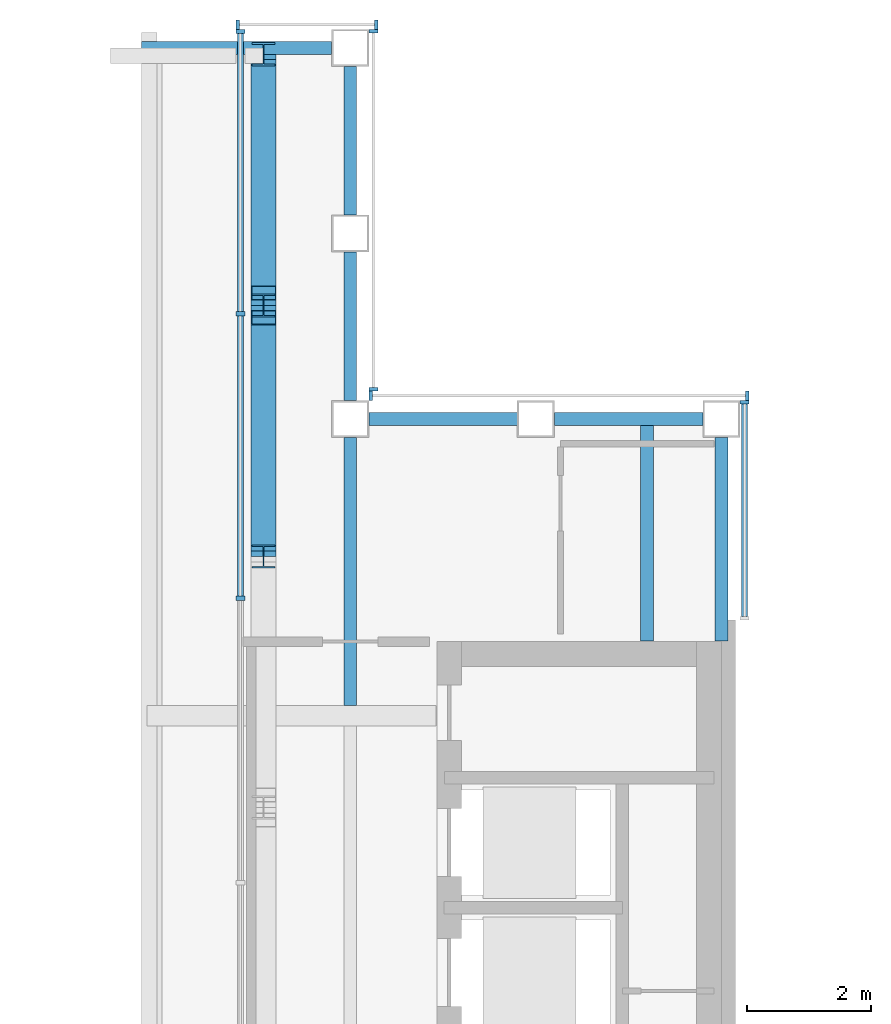
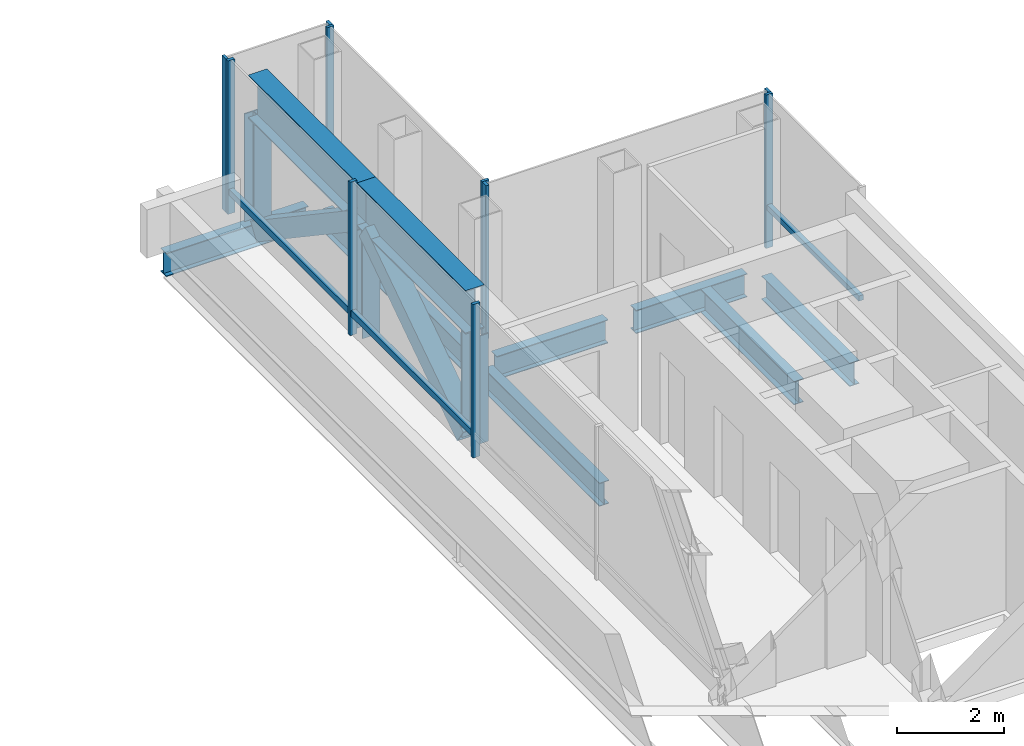
# One storey, part 10 of 16: 20 members, 8 beams, 5 elements without a shape of their own.
"""IFC4 building model written with IfcOpenShell, lengths in metres."""

import ifcopenshell
import ifcopenshell.guid

model = None  # the IFC model being written
_history = None  # IfcOwnerHistory: only IFC2X3 demands one
_inside = {}  # id of a spatial element -> (the spatial element, [elements in it])
_under = {}  # id of a project, library or spatial element -> (it, [spatial elements below it])
_declared = {}  # id of a project -> (the project, [libraries it declares])
_typed = {}  # id of a type object -> (the type object, [elements of that type])
_made_of = {}  # id of a material, layer set ... -> (it, [elements and type objects made of it])


def new_model(schema):
    """Start an empty IFC model of exactly this schema.

    Asked for "IFC4X3", IfcOpenShell would pick the latest addendum, in which some entities
    have other attributes; the version numbers below select the first issue.
    IFC2X3 requires an IfcOwnerHistory on every rooted entity: one is made here for all.
    """
    global model, _history
    if schema == "IFC4X3":
        model = ifcopenshell.file(schema_version=(4, 3, 0, 0))
    else:
        model = ifcopenshell.file(schema=schema)
    _inside.clear()
    _under.clear()
    _declared.clear()
    _typed.clear()
    _made_of.clear()
    _history = None
    if model.schema == "IFC2X3":
        org = make("IfcOrganization", Name="unknown")
        user = make(
            "IfcPersonAndOrganization",
            ThePerson=make("IfcPerson", FamilyName="unknown"),
            TheOrganization=org,
        )
        app = make(
            "IfcApplication",
            ApplicationDeveloper=org,
            Version="unknown",
            ApplicationFullName="unknown",
            ApplicationIdentifier="unknown",
        )
        _history = make(
            "IfcOwnerHistory",
            OwningUser=user,
            OwningApplication=app,
            ChangeAction="ADDED",
            CreationDate=0,
        )
    return model


def make(cls, **values):
    """One entity of the class cls with the attributes given. An attribute that is None is left unset."""
    return model.create_entity(
        cls, **{name: value for name, value in values.items() if value is not None}
    )


def rooted(cls, **values):
    """An entity with a GlobalId (a new one), such as an element, a storey or a relation."""
    return make(cls, GlobalId=ifcopenshell.guid.new(), OwnerHistory=_history, **values)


def si_unit(unit_type, name, prefix=None):
    """IfcSIUnit, for example si_unit("LENGTHUNIT", "METRE", prefix="MILLI")."""
    return make("IfcSIUnit", UnitType=unit_type, Prefix=prefix, Name=name)


def assignment(units):
    """IfcUnitAssignment: the units of a project."""
    return None if units is None else make("IfcUnitAssignment", Units=units)


def point(xyz):
    """IfcCartesianPoint."""
    return None if xyz is None else make("IfcCartesianPoint", Coordinates=xyz)


def direction(xyz):
    """IfcDirection."""
    return None if xyz is None else make("IfcDirection", DirectionRatios=xyz)


def frame(location, z_axis=None, x_axis=None):
    """IfcAxis2Placement3D, a coordinate frame: its origin and axes. An axis left out is left unset."""
    return make(
        "IfcAxis2Placement3D",
        Location=point(location),
        Axis=direction(z_axis),
        RefDirection=direction(x_axis),
    )


def frame_2d(location, x_axis=None):
    """IfcAxis2Placement2D, a coordinate frame in the plane: its origin and x axis."""
    return make(
        "IfcAxis2Placement2D", Location=point(location), RefDirection=direction(x_axis)
    )


def origin():
    """The frame at (0, 0, 0) with its axes left unset."""
    return frame((0.0, 0.0, 0.0))


def origin_2d():
    """The frame at (0, 0) in the plane with its x axis left unset."""
    return frame_2d((0.0, 0.0))


def place(relative_to, where):
    """IfcLocalPlacement: puts the frame where relative to a parent placement (None: the world)."""
    return make(
        "IfcLocalPlacement", PlacementRelTo=relative_to, RelativePlacement=where
    )


def context(
    kind, dimensions, precision=None, world=None, true_north=None, identifier=None
):
    """IfcGeometricRepresentationContext, for example the 3D "Model" context."""
    return make(
        "IfcGeometricRepresentationContext",
        ContextIdentifier=identifier,
        ContextType=kind,
        CoordinateSpaceDimension=dimensions,
        Precision=precision,
        WorldCoordinateSystem=world,
        TrueNorth=true_north,
    )


def subcontext(parent, identifier, kind, view, scale=None):
    """IfcGeometricRepresentationSubContext, for example "Body" below "Model"."""
    return make(
        "IfcGeometricRepresentationSubContext",
        ContextIdentifier=identifier,
        ContextType=kind,
        ParentContext=parent,
        TargetScale=scale,
        TargetView=view,
    )


def project(units=None, contexts=None):
    """IfcProject with its units and contexts."""
    return rooted(
        "IfcProject",
        Name="project",
        RepresentationContexts=contexts,
        UnitsInContext=assignment(units),
    )


def spatial(cls, under=None, at=None, **own):
    """A site, building, storey or space (cls), placed at a placement, below another one or the project."""
    s = rooted(cls, ObjectPlacement=at, **own)
    if under is not None:
        _under.setdefault(under.id(), (under, []))[1].append(s)
    return s


def profile(cls, at=None, kind="AREA", **sizes):
    """A parametric profile (cls). Its sizes go by their IFC names, for example OverallWidth=200.0."""
    return make(cls, ProfileType=kind, Position=at, **sizes)


def rectangle(**sizes):
    """IfcRectangleProfileDef."""
    return profile("IfcRectangleProfileDef", **sizes)


def hollow_rectangle(**sizes):
    """IfcRectangleHollowProfileDef."""
    return profile("IfcRectangleHollowProfileDef", **sizes)


def i_section(**sizes):
    """IfcIShapeProfileDef."""
    return profile("IfcIShapeProfileDef", **sizes)


def extrude(swept, where, along, depth):
    """IfcExtrudedAreaSolid: the profile swept, set in the frame where, extruded along a direction by depth."""
    return make(
        "IfcExtrudedAreaSolid",
        SweptArea=swept,
        Position=where,
        ExtrudedDirection=direction(along),
        Depth=depth,
    )


def shape(context_of_items, identifier, shape_type, items):
    """IfcShapeRepresentation: the items that make up one representation, for example the "Body"."""
    return make(
        "IfcShapeRepresentation",
        ContextOfItems=context_of_items,
        RepresentationIdentifier=identifier,
        RepresentationType=shape_type,
        Items=items,
    )


def material(Name=None, Category=None):
    """IfcMaterial."""
    return make("IfcMaterial", Name=Name, Category=Category)


def material_profile(
    of_material, cross_section, Name=None, Category=None, Priority=None
):
    """IfcMaterialProfile: a cross section and its material."""
    return make(
        "IfcMaterialProfile",
        Name=Name,
        Material=of_material,
        Profile=cross_section,
        Priority=Priority,
        Category=Category,
    )


def profile_set(profiles, Name=None, composite=None):
    """IfcMaterialProfileSet."""
    return make(
        "IfcMaterialProfileSet",
        Name=Name,
        MaterialProfiles=profiles,
        CompositeProfile=composite,
    )


def made_of(thing, what):
    """Note that an element or type object is made of a material, layer set ...; save() writes the relation."""
    if what is not None:
        _made_of.setdefault(what.id(), (what, []))[1].append(thing)
    return thing


def type_object(cls, material=None, **own):
    """A type object (cls), such as IfcWallType, which elements share."""
    return made_of(rooted(cls, **own), material)


def element(
    cls,
    number,
    at=None,
    inside=None,
    cuts=None,
    type_object=None,
    material=None,
    context=None,
    identifier="Body",
    shape_type=None,
    held_by="IfcProductDefinitionShape",
    body=None,
    shapes=None,
    **own,
):
    """One element of the class cls, such as IfcWall. Its Tag is "e" and its number.

    at: its placement. inside: the storey or other place that contains it. cuts: it is an
    opening in that element (IfcRelVoidsElement). A single representation is given by context,
    identifier, shape_type and body (its items); several are given by shapes. held_by: the class
    of the entity that holds the representations. save() writes the other relations.
    """
    e = rooted(cls, Tag="e%d" % number, ObjectPlacement=at, **own)
    if body is not None:
        shapes = [shape(context, identifier, shape_type, body)]
    if shapes is not None:
        e.Representation = make(held_by, Representations=shapes)
    if inside is not None:
        _inside.setdefault(inside.id(), (inside, []))[1].append(e)
    if cuts is not None:
        rooted(
            "IfcRelVoidsElement", RelatingBuildingElement=cuts, RelatedOpeningElement=e
        )
    if type_object is not None:
        _typed.setdefault(type_object.id(), (type_object, []))[1].append(e)
    return made_of(e, material)


def aggregate(whole, parts):
    """IfcRelAggregates: a whole, such as a stair, and the parts it consists of."""
    return rooted("IfcRelAggregates", RelatingObject=whole, RelatedObjects=parts)


def save(model, path):
    """Write the relations noted so far, then the file.

    IfcRelAggregates (storeys below a building ...), IfcRelContainedInSpatialStructure (elements
    in a storey), IfcRelDefinesByType, IfcRelAssociatesMaterial and IfcRelDeclares: one each for
    every whole, place, type object, material and project.
    """
    for whole, parts in _under.values():
        aggregate(whole, parts)
    for where, things in _inside.values():
        rooted(
            "IfcRelContainedInSpatialStructure",
            RelatedElements=things,
            RelatingStructure=where,
        )
    for kind, things in _typed.values():
        rooted("IfcRelDefinesByType", RelatedObjects=things, RelatingType=kind)
    for what, things in _made_of.values():
        rooted("IfcRelAssociatesMaterial", RelatedObjects=things, RelatingMaterial=what)
    for by, libraries in _declared.values():
        rooted("IfcRelDeclares", RelatingContext=by, RelatedDefinitions=libraries)
    model.write(path)


model = new_model("IFC4")

# Units and contexts
model_context = context("Model", 3, precision=1e-05, world=origin(), true_north=direction((0.0, 1.0)))
body_context = subcontext(model_context, "Body", "Model", "MODEL_VIEW")
ifc_project = project(units=[si_unit("LENGTHUNIT", "METRE"), si_unit("AREAUNIT", "SQUARE_METRE"), si_unit("VOLUMEUNIT", "CUBIC_METRE"), si_unit("PLANEANGLEUNIT", "RADIAN"), si_unit("MASSUNIT", "GRAM", prefix="KILO")], contexts=[model_context])

# Site, building, storey
site_placement = place(None, origin())
site = spatial("IfcSite", under=ifc_project, at=site_placement, CompositionType="ELEMENT")
building_placement = place(site_placement, origin())
building = spatial("IfcBuilding", under=site, at=building_placement, Name="Cobrizo Arcos Hotel Tower", CompositionType="ELEMENT")
storey_placement = place(building_placement, frame((0.0, 0.0, 286.5)))
storey = spatial("IfcBuildingStorey", under=building, at=storey_placement, Name="L76", CompositionType="ELEMENT", Elevation=286.5)

# Curtain wall, members
ifc_material_1 = material(Name="Aluminium 6063-T6 anodised bronze", Category="aluminium")
curtain_wall_type_1 = type_object("IfcCurtainWallType", Name="CW-A guest facade", PredefinedType="NOTDEFINED", material=ifc_material_1)
curtain_wall_1_placement = place(storey_placement, origin())
curtain_wall_1 = element("IfcCurtainWall", 1, at=curtain_wall_1_placement, inside=storey, type_object=curtain_wall_type_1, Name="CW-A L76 N face", PredefinedType="NOTDEFINED")
ifc_material_profile_1 = material_profile(ifc_material_1, rectangle(XDim=0.14990234375, YDim=0.06005859375, at=origin_2d()), Name="CW-A mullion 150x60")
ifc_profile_set_1 = profile_set([ifc_material_profile_1], Name="Aluminium 6063-T6 anodised bronze")
member_type_1 = type_object("IfcMemberType", Name="CW-A mullion 150x60", PredefinedType="MULLION", material=ifc_profile_set_1)
member_1_placement = place(storey_placement, frame((14.820068359375, 20.77490234375, 0.0), z_axis=(0.0, 0.0, 1.0), x_axis=(0.0, 1.0, 0.0)))
member_1 = element("IfcMember", 2, at=member_1_placement, type_object=member_type_1, Name="CW-A mullion 1", PredefinedType="MULLION", context=body_context, shape_type="SweptSolid", body=[
    extrude(rectangle(XDim=0.14990234375, YDim=0.06005859375, at=origin_2d()), origin(), (0.0, 0.0, 1.0), 3.5),
])
member_2_placement = place(storey_placement, frame((12.580078125, 20.77490234375, 0.0), z_axis=(0.0, 0.0, 1.0), x_axis=(0.0, 1.0, 0.0)))
member_2 = element("IfcMember", 3, at=member_2_placement, type_object=member_type_1, Name="CW-A mullion 2", PredefinedType="MULLION", context=body_context, shape_type="SweptSolid", body=[
    extrude(rectangle(XDim=0.14990234375, YDim=0.06005859375, at=origin_2d()), origin(), (0.0, 0.0, 1.0), 3.5),
])
aggregate(curtain_wall_1, [member_1, member_2])

# Curtain wall, member
curtain_wall_2_placement = place(storey_placement, origin())
curtain_wall_2 = element("IfcCurtainWall", 4, at=curtain_wall_2_placement, inside=storey, type_object=curtain_wall_type_1, Name="CW-A L76 E face", PredefinedType="NOTDEFINED")
member_3_placement = place(storey_placement, frame((20.77490234375, 14.669921875, 0.0), z_axis=(0.0, 0.0, 1.0), x_axis=(1.0, 0.0, 0.0)))
member_3 = element("IfcMember", 5, at=member_3_placement, type_object=member_type_1, Name="CW-A mullion 2", PredefinedType="MULLION", context=body_context, shape_type="SweptSolid", body=[
    extrude(rectangle(XDim=0.14990234375, YDim=0.06005859375, at=origin_2d()), origin(), (0.0, 0.0, 1.0), 3.5),
])

# Curtain wall, members
curtain_wall_3_placement = place(storey_placement, origin())
curtain_wall_3 = element("IfcCurtainWall", 6, at=curtain_wall_3_placement, inside=storey, type_object=curtain_wall_type_1, Name="CW-A L76 N face", PredefinedType="NOTDEFINED")
member_4_placement = place(storey_placement, frame((20.820068359375, 14.77490234375, 0.0), z_axis=(0.0, 0.0, 1.0), x_axis=(0.0, 1.0, 0.0)))
member_4 = element("IfcMember", 7, at=member_4_placement, type_object=member_type_1, Name="CW-A mullion 1", PredefinedType="MULLION", context=body_context, shape_type="SweptSolid", body=[
    extrude(rectangle(XDim=0.14990234375, YDim=0.06005859375, at=origin_2d()), origin(), (0.0, 0.0, 1.0), 3.5),
])
member_5_placement = place(storey_placement, frame((14.72998046875, 14.77490234375, 0.0), z_axis=(0.0, 0.0, 1.0), x_axis=(0.0, 1.0, 0.0)))
member_5 = element("IfcMember", 8, at=member_5_placement, type_object=member_type_1, Name="CW-A mullion 2", PredefinedType="MULLION", context=body_context, shape_type="SweptSolid", body=[
    extrude(rectangle(XDim=0.14990234375, YDim=0.06005859375, at=origin_2d()), origin(), (0.0, 0.0, 1.0), 3.5),
])
aggregate(curtain_wall_3, [member_4, member_5])

curtain_wall_4_placement = place(storey_placement, origin())
curtain_wall_4 = element("IfcCurtainWall", 9, at=curtain_wall_4_placement, inside=storey, type_object=curtain_wall_type_1, Name="CW-A L76 E face", PredefinedType="NOTDEFINED")
member_6_placement = place(storey_placement, frame((14.77490234375, 14.8798828125, 0.0), z_axis=(0.0, 0.0, 1.0), x_axis=(1.0, 0.0, 0.0)))
member_6 = element("IfcMember", 10, at=member_6_placement, type_object=member_type_1, Name="CW-A mullion 1", PredefinedType="MULLION", context=body_context, shape_type="SweptSolid", body=[
    extrude(rectangle(XDim=0.14990234375, YDim=0.06005859375, at=origin_2d()), origin(), (0.0, 0.0, 1.0), 3.5),
])
member_7_placement = place(storey_placement, frame((14.77490234375, 20.669921875, 0.0), z_axis=(0.0, 0.0, 1.0), x_axis=(1.0, 0.0, 0.0)))
member_7 = element("IfcMember", 11, at=member_7_placement, type_object=member_type_1, Name="CW-A mullion 2", PredefinedType="MULLION", context=body_context, shape_type="SweptSolid", body=[
    extrude(rectangle(XDim=0.14990234375, YDim=0.06005859375, at=origin_2d()), origin(), (0.0, 0.0, 1.0), 3.5),
])
aggregate(curtain_wall_4, [member_6, member_7])

# Member
ifc_material_profile_2 = material_profile(ifc_material_1, rectangle(XDim=0.10009765625, YDim=0.1201171875, at=origin_2d()), Name="CW-A transom 120x100")
ifc_profile_set_2 = profile_set([ifc_material_profile_2], Name="Aluminium 6063-T6 anodised bronze")
member_type_2 = type_object("IfcMemberType", Name="CW-A transom 120x100", PredefinedType="USERDEFINED", material=ifc_profile_set_2)
member_8_placement = place(storey_placement, frame((20.77490234375, 11.2099609375, 0.929931640625), z_axis=(0.0, 1.0, 0.0), x_axis=(-1.0, 0.0, 0.0)))
member_8 = element("IfcMember", 12, at=member_8_placement, type_object=member_type_2, Name="CW-A transom 2406", ObjectType="TRANSOM", PredefinedType="USERDEFINED", context=body_context, shape_type="SweptSolid", body=[
    extrude(rectangle(XDim=0.10009765625, YDim=0.1201171875, at=origin_2d()), origin(), (0.0, 0.0, 1.0), 3.429931640625),
])

aggregate(curtain_wall_2, [member_3, member_8])

# Curtain wall, members
curtain_wall_type_2 = type_object("IfcCurtainWallType", Name="CW-C arch infill and crown glazing", PredefinedType="NOTDEFINED", material=ifc_material_1)
curtain_wall_5_placement = place(storey_placement, origin())
curtain_wall_5 = element("IfcCurtainWall", 13, at=curtain_wall_5_placement, inside=storey, type_object=curtain_wall_type_2, Name="CW-C L76 W face", PredefinedType="NOTDEFINED")
ifc_material_profile_3 = material_profile(ifc_material_1, rectangle(XDim=0.14990234375, YDim=0.070068359375, at=origin_2d()), Name="CW-C mullion 150x70")
ifc_profile_set_3 = profile_set([ifc_material_profile_3], Name="Aluminium 6063-T6 anodised bronze")
member_type_3 = type_object("IfcMemberType", Name="CW-C mullion 150x70", PredefinedType="MULLION", material=ifc_profile_set_3)
member_9_placement = place(storey_placement, frame((12.625, 20.6650390625, 0.0), z_axis=(0.0, 0.0, 1.0), x_axis=(-1.0, 0.0, 0.0)))
member_9 = element("IfcMember", 14, at=member_9_placement, type_object=member_type_3, Name="CW-C mullion 1", PredefinedType="MULLION", context=body_context, shape_type="SweptSolid", body=[
    extrude(rectangle(XDim=0.14990234375, YDim=0.070068359375, at=origin_2d()), origin(), (0.0, 0.0, 1.0), 3.5),
])
member_10_placement = place(storey_placement, frame((12.625, 16.10009765625, 0.0), z_axis=(0.0, 0.0, 1.0), x_axis=(-1.0, 0.0, 0.0)))
member_10 = element("IfcMember", 15, at=member_10_placement, type_object=member_type_3, Name="CW-C mullion 2", PredefinedType="MULLION", context=body_context, shape_type="SweptSolid", body=[
    extrude(rectangle(XDim=0.14990234375, YDim=0.070068359375, at=origin_2d()), origin(), (0.0, 0.0, 1.0), 3.5),
])
member_11_placement = place(storey_placement, frame((12.625, 11.5, 0.0), z_axis=(0.0, 0.0, 1.0), x_axis=(-1.0, 0.0, 0.0)))
member_11 = element("IfcMember", 16, at=member_11_placement, type_object=member_type_3, Name="CW-C mullion 3", PredefinedType="MULLION", context=body_context, shape_type="SweptSolid", body=[
    extrude(rectangle(XDim=0.14990234375, YDim=0.070068359375, at=origin_2d()), origin(), (0.0, 0.0, 1.0), 3.5),
])
ifc_material_profile_4 = material_profile(ifc_material_1, rectangle(XDim=0.10009765625, YDim=0.139892578125, at=origin_2d()), Name="CW-C transom 140x100")
ifc_profile_set_4 = profile_set([ifc_material_profile_4], Name="Aluminium 6063-T6 anodised bronze")
member_type_4 = type_object("IfcMemberType", Name="CW-C transom 140x100", PredefinedType="USERDEFINED", material=ifc_profile_set_4)
member_12_placement = place(storey_placement, frame((12.625, 20.6298828125, 0.5), z_axis=(0.0, -1.0, 0.0), x_axis=(1.0, 0.0, 0.0)))
member_12 = element("IfcMember", 17, at=member_12_placement, type_object=member_type_4, Name="CW-C transom 2393", ObjectType="TRANSOM", PredefinedType="USERDEFINED", context=body_context, shape_type="SweptSolid", body=[
    extrude(rectangle(XDim=0.10009765625, YDim=0.139892578125, at=origin_2d()), origin(), (0.0, 0.0, 1.0), 4.494873046875),
])
member_13_placement = place(storey_placement, frame((12.625, 16.06494140625, 0.5), z_axis=(0.0, -1.0, 0.0), x_axis=(1.0, 0.0, 0.0)))
member_13 = element("IfcMember", 18, at=member_13_placement, type_object=member_type_4, Name="CW-C transom 2394", ObjectType="TRANSOM", PredefinedType="USERDEFINED", context=body_context, shape_type="SweptSolid", body=[
    extrude(rectangle(XDim=0.10009765625, YDim=0.139892578125, at=origin_2d()), origin(), (0.0, 0.0, 1.0), 4.530029296875),
])
aggregate(curtain_wall_5, [member_9, member_10, member_11, member_12, member_13])

# Members
ifc_material_2 = material(Name="Steel ASTM A500 Grade C", Category="steel")
ifc_material_profile_5 = material_profile(ifc_material_2, hollow_rectangle(XDim=0.406494140625, YDim=0.406494140625, WallThickness=0.014892578125, at=origin_2d()), Name="HSS16X16X5/8")
ifc_profile_set_5 = profile_set([ifc_material_profile_5], Name="Steel ASTM A500 Grade C")
member_type_5 = type_object("IfcMemberType", Name="HSS16X16X5/8 crown edge truss diagonal", PredefinedType="BRACE", material=ifc_profile_set_5)
for number, where, z_axis, x_axis, name in (
    (19, (13.0, 12.377197265625, -0.14990234375), (0.0, 0.829974292143, 0.557801644299), (-1.0, 0.0, 0.0), "Crown truss diagonal CD1, east side, no. 08"),
    (20, (13.0, 16.436279296875, 2.309326171875), (0.0, 0.829957061143, -0.557827282104), (-1.0, 0.0, 0.0), "Crown truss diagonal CD1, east side, no. 09"),
):
    element("IfcMember", number, at=place(storey_placement, frame(where, z_axis=z_axis, x_axis=x_axis)), inside=storey, type_object=member_type_5, Name=name, PredefinedType="BRACE", context=body_context, shape_type="SweptSolid", body=[
        extrude(hollow_rectangle(XDim=0.406494140625, YDim=0.406494140625, WallThickness=0.014892578125, at=origin_2d()), origin(), (0.0, 0.0, 1.0), 4.40869140625),
    ])
ifc_material_3 = material(Name="Steel ASTM A992 Grade 50", Category="steel")
ifc_material_profile_6 = material_profile(ifc_material_3, i_section(OverallWidth=0.373291015625, OverallDepth=0.373291015625, WebThickness=0.016357421875, FlangeThickness=0.026123046875, at=origin_2d()), Name="W14X132")
ifc_profile_set_6 = profile_set([ifc_material_profile_6], Name="Steel ASTM A992 Grade 50")
member_type_6 = type_object("IfcMemberType", Name="W14X132 crown edge truss post", PredefinedType="POST", material=ifc_profile_set_6)
for number, where, z_axis, x_axis, name in (
    (21, (13.0, 12.17724609375, -0.14990234375), (0.0, 0.0, 1.0), (1.0, 0.0, 0.0), "Crown truss post CP1, east side, no. 08"),
    (22, (13.0, 16.236328125, -0.14990234375), (0.0, 0.0, 1.0), (1.0, 0.0, 0.0), "Crown truss post CP1, east side, no. 09"),
    (23, (13.0, 20.29541015625, -0.14990234375), (0.0, 0.0, 1.0), (1.0, 0.0, 0.0), "Crown truss post CP1, east side, no. 10"),
):
    element("IfcMember", number, at=place(storey_placement, frame(where, z_axis=z_axis, x_axis=x_axis)), inside=storey, type_object=member_type_6, Name=name, PredefinedType="POST", context=body_context, shape_type="SweptSolid", body=[
        extrude(i_section(OverallWidth=0.373291015625, OverallDepth=0.373291015625, WebThickness=0.016357421875, FlangeThickness=0.026123046875, at=origin_2d()), origin(), (0.0, 0.0, 1.0), 2.459228515625),
    ])

# Beams
ifc_material_profile_7 = material_profile(ifc_material_3, i_section(OverallWidth=0.209228515625, OverallDepth=0.533447265625, WebThickness=0.01025390625, FlangeThickness=0.015625, at=origin_2d()), Name="W21X62")
ifc_profile_set_7 = profile_set([ifc_material_profile_7], Name="Steel ASTM A992 Grade 50")
beam_type_1 = type_object("IfcBeamType", Name="W21X62 joist", PredefinedType="JOIST", material=ifc_profile_set_7)
beam_1_placement = place(storey_placement, frame((14.39990234375, 9.763916015625, -0.416748046875), z_axis=(0.0, 1.0, 0.0), x_axis=(-1.0, 0.0, 0.0)))
element("IfcBeam", 24, at=beam_1_placement, inside=storey, type_object=beam_type_1, Name="Floor joist J1, L76, no. 010", PredefinedType="JOIST", context=body_context, shape_type="SweptSolid", body=[
    extrude(i_section(OverallWidth=0.209228515625, OverallDepth=0.533447265625, WebThickness=0.01025390625, FlangeThickness=0.015625, at=origin_2d()), origin(), (0.0, 0.0, 1.0), 4.336181640625),
])
beam_2_placement = place(storey_placement, frame((19.199951171875, 10.81005859375, -0.416748046875), z_axis=(0.0, 1.0, 0.0), x_axis=(-1.0, 0.0, 0.0)))
element("IfcBeam", 25, at=beam_2_placement, inside=storey, type_object=beam_type_1, Name="Floor joist J1, L76, no. 012", PredefinedType="JOIST", context=body_context, shape_type="SweptSolid", body=[
    extrude(i_section(OverallWidth=0.209228515625, OverallDepth=0.533447265625, WebThickness=0.01025390625, FlangeThickness=0.015625, at=origin_2d()), origin(), (0.0, 0.0, 1.0), 3.5),
])
ifc_material_profile_8 = material_profile(ifc_material_3, i_section(OverallWidth=0.209228515625, OverallDepth=0.533447265625, WebThickness=0.01025390625, FlangeThickness=0.015625, at=origin_2d()), Name="W21X62")
ifc_profile_set_8 = profile_set([ifc_material_profile_8], Name="Steel ASTM A992 Grade 50")
beam_type_2 = type_object("IfcBeamType", Name="W21X62 spandrel", PredefinedType="SPANDREL", material=ifc_profile_set_8)
beam_3_placement = place(storey_placement, frame((11.02587890625, 20.39990234375, -0.416748046875), z_axis=(1.0, 0.0, 0.0), x_axis=(0.0, 1.0, 0.0)))
element("IfcBeam", 26, at=beam_3_placement, inside=storey, type_object=beam_type_2, Name="Spandrel beam W21X62, L76, no. 013", PredefinedType="SPANDREL", context=body_context, shape_type="SweptSolid", body=[
    extrude(i_section(OverallWidth=0.209228515625, OverallDepth=0.533447265625, WebThickness=0.01025390625, FlangeThickness=0.015625, at=origin_2d()), origin(), (0.0, 0.0, 1.0), 3.07421875),
])
for number, where, z_axis, x_axis, name in (
    (27, (14.39990234375, 20.10009765625, -0.416748046875), (0.0, -1.0, 0.0), (1.0, 0.0, 0.0), "Spandrel beam W21X62, L76, no. 014"),
    (28, (14.39990234375, 17.10009765625, -0.416748046875), (0.0, -1.0, 0.0), (1.0, 0.0, 0.0), "Spandrel beam W21X62, L76, no. 015"),
    (29, (14.699951171875, 14.39990234375, -0.416748046875), (1.0, 0.0, 0.0), (0.0, 1.0, 0.0), "Spandrel beam W21X62, L76, no. 016"),
    (30, (17.699951171875, 14.39990234375, -0.416748046875), (1.0, 0.0, 0.0), (0.0, 1.0, 0.0), "Spandrel beam W21X62, L76, no. 017"),
):
    element("IfcBeam", number, at=place(storey_placement, frame(where, z_axis=z_axis, x_axis=x_axis)), inside=storey, type_object=beam_type_2, Name=name, PredefinedType="SPANDREL", context=body_context, shape_type="SweptSolid", body=[
        extrude(i_section(OverallWidth=0.209228515625, OverallDepth=0.533447265625, WebThickness=0.01025390625, FlangeThickness=0.015625, at=origin_2d()), origin(), (0.0, 0.0, 1.0), 2.400146484375),
    ])
beam_4_placement = place(storey_placement, frame((20.39990234375, 14.10009765625, -0.416748046875), z_axis=(0.0, -1.0, 0.0), x_axis=(1.0, 0.0, 0.0)))
element("IfcBeam", 31, at=beam_4_placement, inside=storey, type_object=beam_type_2, Name="Spandrel beam W21X62, L76, no. 018", PredefinedType="SPANDREL", context=body_context, shape_type="SweptSolid", body=[
    extrude(i_section(OverallWidth=0.209228515625, OverallDepth=0.533447265625, WebThickness=0.01025390625, FlangeThickness=0.015625, at=origin_2d()), origin(), (0.0, 0.0, 1.0), 3.2900390625),
])

# Members
ifc_material_profile_9 = material_profile(ifc_material_3, i_section(OverallWidth=0.4013671875, OverallDepth=0.990478515625, WebThickness=0.0166015625, FlangeThickness=0.025390625, at=origin_2d()), Name="W40X215")
ifc_profile_set_9 = profile_set([ifc_material_profile_9], Name="Steel ASTM A992 Grade 50")
member_type_7 = type_object("IfcMemberType", Name="W40X215 crown edge truss chord", PredefinedType="CHORD", material=ifc_profile_set_9)
for number, where, z_axis, x_axis, name in (
    (32, (13.0, 12.17724609375, 2.8046875), (0.0, 1.0, 0.0), (-1.0, 0.0, 0.0), "Crown truss top chord CC1, east side, no. 08"),
    (33, (13.0, 16.236328125, 2.8046875), (0.0, 1.0, 0.0), (-1.0, 0.0, 0.0), "Crown truss top chord CC1, east side, no. 09"),
):
    element("IfcMember", number, at=place(storey_placement, frame(where, z_axis=z_axis, x_axis=x_axis)), inside=storey, type_object=member_type_7, Name=name, PredefinedType="CHORD", context=body_context, shape_type="SweptSolid", body=[
        extrude(i_section(OverallWidth=0.4013671875, OverallDepth=0.990478515625, WebThickness=0.0166015625, FlangeThickness=0.025390625, at=origin_2d()), origin(), (0.0, 0.0, 1.0), 4.05908203125),
    ])

save(model, "model.ifc")
